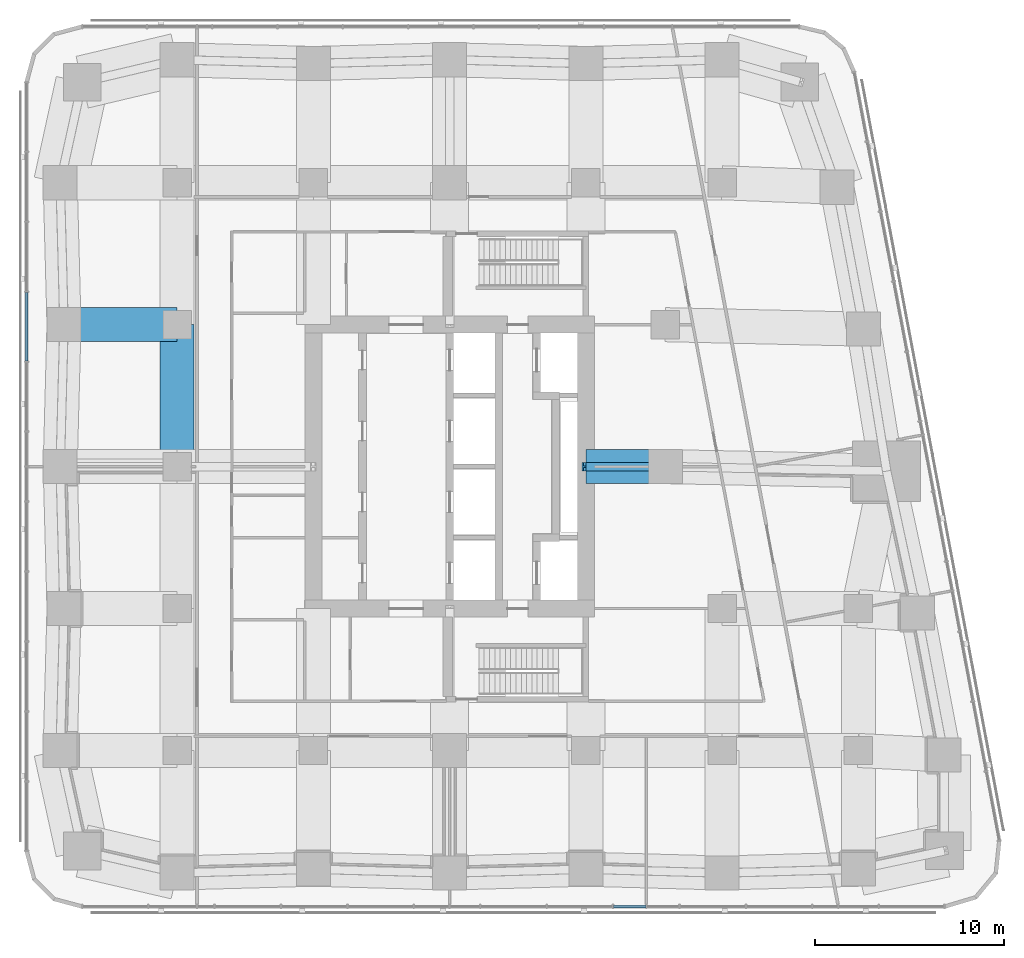
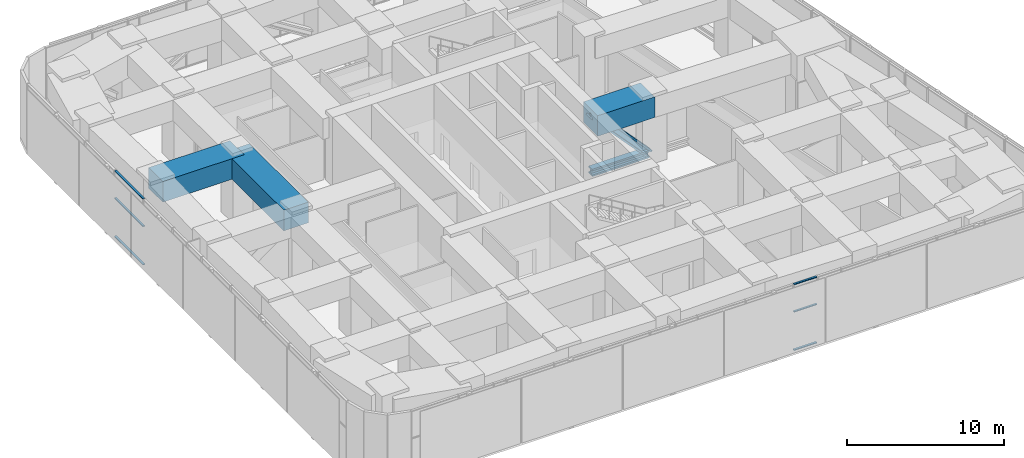
# One storey, part 4 of 17: 8 members, 3 beams, 2 elements without a shape of their own.
"""IFC4 building model written with IfcOpenShell, lengths in metres."""

from ifc_helpers import new_model, si_unit, direction, frame, origin, origin_2d, place, context, subcontext, project, spatial, rectangle, i_section, extrude, material, material_profile, profile_set, type_object, element, aggregate, save


model = new_model("IFC4")

# Units and contexts
model_context = context("Model", 3, precision=1e-05, world=origin(), true_north=direction((0.0, 1.0)))
body_context = subcontext(model_context, "Body", "Model", "MODEL_VIEW")
ifc_project = project(units=[si_unit("LENGTHUNIT", "METRE"), si_unit("AREAUNIT", "SQUARE_METRE"), si_unit("VOLUMEUNIT", "CUBIC_METRE"), si_unit("PLANEANGLEUNIT", "RADIAN"), si_unit("MASSUNIT", "GRAM", prefix="KILO")], contexts=[model_context])

# Site, building, storey
site_placement = place(None, origin())
site = spatial("IfcSite", under=ifc_project, at=site_placement, CompositionType="ELEMENT")
building_placement = place(site_placement, origin())
building = spatial("IfcBuilding", under=site, at=building_placement, Name="Sheger Commons Tower", CompositionType="ELEMENT")
storey_placement = place(building_placement, frame((0.0, 0.0, 188.300048828125)))
storey = spatial("IfcBuildingStorey", under=building, at=storey_placement, Name="L48", CompositionType="ELEMENT", Elevation=188.300048828125)

# Beams
ifc_material_1 = material(Name="Concrete C50/60", Category="concrete")
ifc_material_profile_1 = material_profile(ifc_material_1, rectangle(XDim=1.800048828125, YDim=1.60009765625, at=origin_2d()), Name="RC 1800x1600")
ifc_profile_set_1 = profile_set([ifc_material_profile_1], Name="Concrete C50/60")
beam_type = type_object("IfcBeamType", Name="BEAM RC 1800x1600", PredefinedType="BEAM", material=ifc_profile_set_1)
beam_1_placement = place(storey_placement, frame((28.800048828125, 22.5, 4.349853515625), z_axis=(1.0, 0.0, 0.0), x_axis=(0.0, 1.0, 0.0)))
element("IfcBeam", 1, at=beam_1_placement, inside=storey, type_object=beam_type, Name="Beam 5/D-6-3000/D under L49", PredefinedType="BEAM", context=body_context, shape_type="SweptSolid", body=[
    extrude(rectangle(XDim=1.800048828125, YDim=1.60009765625, at=origin_2d()), origin(), (0.0, 0.0, 1.0), 4.199951171875),
])
beam_2_placement = place(storey_placement, frame((1.22509765625, 30.0, 4.349853515625), z_axis=(1.0, 0.0, 0.0), x_axis=(0.0, 1.0, 0.0)))
element("IfcBeam", 2, at=beam_2_placement, inside=storey, type_object=beam_type, Name="Beam 1/E-2/E under L49", PredefinedType="BEAM", context=body_context, shape_type="SweptSolid", body=[
    extrude(rectangle(XDim=1.800048828125, YDim=1.60009765625, at=origin_2d()), origin(), (0.0, 0.0, 1.0), 5.974853515625),
])
beam_3_placement = place(storey_placement, frame((7.199951171875, 22.5, 4.349853515625), z_axis=(0.0, 1.0, 0.0), x_axis=(-1.0, 0.0, 0.0)))
element("IfcBeam", 3, at=beam_3_placement, inside=storey, type_object=beam_type, Name="Beam 2/D-2/E under L49", PredefinedType="BEAM", context=body_context, shape_type="SweptSolid", body=[
    extrude(rectangle(XDim=1.800048828125, YDim=1.60009765625, at=origin_2d()), origin(), (0.0, 0.0, 1.0), 7.5),
])

# Members
ifc_material_2 = material(Name="Steel S460", Category="steel")
ifc_material_profile_2 = material_profile(ifc_material_2, i_section(OverallWidth=0.4541015625, OverallDepth=0.569091796875, WebThickness=0.077880859375, FlangeThickness=0.125, at=origin_2d()), Name="HD 400x1086")
ifc_profile_set_2 = profile_set([ifc_material_profile_2], Name="Steel S460")
member_type_1 = type_object("IfcMemberType", Name="BRACE HD 400x1086", PredefinedType="BRACE", material=ifc_profile_set_2)
member_1_placement = place(storey_placement, frame((28.800048828125, 22.5, 4.849853515625), z_axis=(0.678291565941, 0.0, -0.73479286304), x_axis=(0.0, 1.0, 0.0)))
element("IfcMember", 4, at=member_1_placement, inside=storey, type_object=member_type_1, Name="Outrigger E diagonal 1", PredefinedType="BRACE", context=body_context, shape_type="SweptSolid", body=[
    extrude(i_section(OverallWidth=0.4541015625, OverallDepth=0.569091796875, WebThickness=0.077880859375, FlangeThickness=0.125, at=origin_2d()), origin(), (0.0, 0.0, 1.0), 6.19189453125),
])
ifc_material_3 = material(Name="Steel S460", Category="steel")
ifc_material_profile_3 = material_profile(ifc_material_3, i_section(OverallWidth=0.4541015625, OverallDepth=0.569091796875, WebThickness=0.077880859375, FlangeThickness=0.125, at=origin_2d()), Name="HD 400x1086")
ifc_profile_set_3 = profile_set([ifc_material_profile_3], Name="Steel S460")
member_type_2 = type_object("IfcMemberType", Name="CHORD HD 400x1086", PredefinedType="CHORD", material=ifc_profile_set_3)
member_2_placement = place(storey_placement, frame((28.800048828125, 22.5, 0.300048828125), z_axis=(1.0, 0.0, 0.0), x_axis=(0.0, 1.0, 0.0)))
element("IfcMember", 5, at=member_2_placement, inside=storey, type_object=member_type_2, Name="Outrigger E bottom chord 5/D-6-3000/D", PredefinedType="CHORD", context=body_context, shape_type="SweptSolid", body=[
    extrude(i_section(OverallWidth=0.4541015625, OverallDepth=0.569091796875, WebThickness=0.077880859375, FlangeThickness=0.125, at=origin_2d()), origin(), (0.0, 0.0, 1.0), 4.199951171875),
])

# Curtain wall, members
ifc_material_4 = material(Name="Black aluminium curtain wall, dark tinted glazing", Category="aluminium")
curtain_wall_type = type_object("IfcCurtainWallType", Name="CURTAIN WALL CW3 SKY FLOOR", PredefinedType="USERDEFINED", material=ifc_material_4)
curtain_wall_1_placement = place(storey_placement, origin())
curtain_wall_1 = element("IfcCurtainWall", 6, at=curtain_wall_1_placement, inside=storey, type_object=curtain_wall_type, Name="Curtain Wall Cw3 Sky Floor S1 L48", ObjectType="UNITISED CURTAIN WALL", PredefinedType="USERDEFINED")
ifc_material_5 = material(Name="Black anodised aluminium", Category="aluminium")
ifc_material_profile_4 = material_profile(ifc_material_5, rectangle(XDim=0.14990234375, YDim=0.06494140625, at=origin_2d()), Name="AL 65x150")
ifc_profile_set_4 = profile_set([ifc_material_profile_4], Name="Black anodised aluminium")
member_type_3 = type_object("IfcMemberType", Name="TRANSOM AL 65x150", PredefinedType="USERDEFINED", material=ifc_profile_set_4)
member_3_placement = place(storey_placement, frame((30.2744140625, -0.75, 0.032470703125), z_axis=(1.0, 0.0, 0.0), x_axis=(0.0, 1.0, 0.0)))
member_3 = element("IfcMember", 7, at=member_3_placement, type_object=member_type_3, Name="CW3 transom 11.1", ObjectType="TRANSOM", PredefinedType="USERDEFINED", context=body_context, shape_type="SweptSolid", body=[
    extrude(rectangle(XDim=0.14990234375, YDim=0.06494140625, at=origin_2d()), origin(), (0.0, 0.0, 1.0), 1.693115234375),
])
member_4_placement = place(storey_placement, frame((30.2744140625, -0.75, 3.0), z_axis=(1.0, 0.0, 0.0), x_axis=(0.0, 1.0, 0.0)))
member_4 = element("IfcMember", 8, at=member_4_placement, type_object=member_type_3, Name="CW3 transom 11.2", ObjectType="TRANSOM", PredefinedType="USERDEFINED", context=body_context, shape_type="SweptSolid", body=[
    extrude(rectangle(XDim=0.14990234375, YDim=0.06494140625, at=origin_2d()), origin(), (0.0, 0.0, 1.0), 1.693115234375),
])
member_5_placement = place(storey_placement, frame((30.2744140625, -0.75, 5.117431640625), z_axis=(1.0, 0.0, 0.0), x_axis=(0.0, 1.0, 0.0)))
member_5 = element("IfcMember", 9, at=member_5_placement, type_object=member_type_3, Name="CW3 transom 11.3", ObjectType="TRANSOM", PredefinedType="USERDEFINED", context=body_context, shape_type="SweptSolid", body=[
    extrude(rectangle(XDim=0.14990234375, YDim=0.06494140625, at=origin_2d()), origin(), (0.0, 0.0, 1.0), 1.693115234375),
])
aggregate(curtain_wall_1, [member_3, member_4, member_5])

curtain_wall_2_placement = place(storey_placement, origin())
curtain_wall_2 = element("IfcCurtainWall", 10, at=curtain_wall_2_placement, inside=storey, type_object=curtain_wall_type, Name="Curtain Wall Cw3 Sky Floor W1 L48", ObjectType="UNITISED CURTAIN WALL", PredefinedType="USERDEFINED")
member_6_placement = place(storey_placement, frame((-0.75, 31.71142578125, 0.032470703125), z_axis=(0.0, -1.0, 0.0), x_axis=(1.0, 0.0, 0.0)))
member_6 = element("IfcMember", 11, at=member_6_placement, type_object=member_type_3, Name="CW3 transom 4.1", ObjectType="TRANSOM", PredefinedType="USERDEFINED", context=body_context, shape_type="SweptSolid", body=[
    extrude(rectangle(XDim=0.14990234375, YDim=0.06494140625, at=origin_2d()), origin(), (0.0, 0.0, 1.0), 3.6328125),
])
member_7_placement = place(storey_placement, frame((-0.75, 31.71142578125, 3.0), z_axis=(0.0, -1.0, 0.0), x_axis=(1.0, 0.0, 0.0)))
member_7 = element("IfcMember", 12, at=member_7_placement, type_object=member_type_3, Name="CW3 transom 4.2", ObjectType="TRANSOM", PredefinedType="USERDEFINED", context=body_context, shape_type="SweptSolid", body=[
    extrude(rectangle(XDim=0.14990234375, YDim=0.06494140625, at=origin_2d()), origin(), (0.0, 0.0, 1.0), 3.6328125),
])
member_8_placement = place(storey_placement, frame((-0.75, 31.71142578125, 5.117431640625), z_axis=(0.0, -1.0, 0.0), x_axis=(1.0, 0.0, 0.0)))
member_8 = element("IfcMember", 13, at=member_8_placement, type_object=member_type_3, Name="CW3 transom 4.3", ObjectType="TRANSOM", PredefinedType="USERDEFINED", context=body_context, shape_type="SweptSolid", body=[
    extrude(rectangle(XDim=0.14990234375, YDim=0.06494140625, at=origin_2d()), origin(), (0.0, 0.0, 1.0), 3.6328125),
])
aggregate(curtain_wall_2, [member_6, member_7, member_8])

save(model, "model.ifc")
